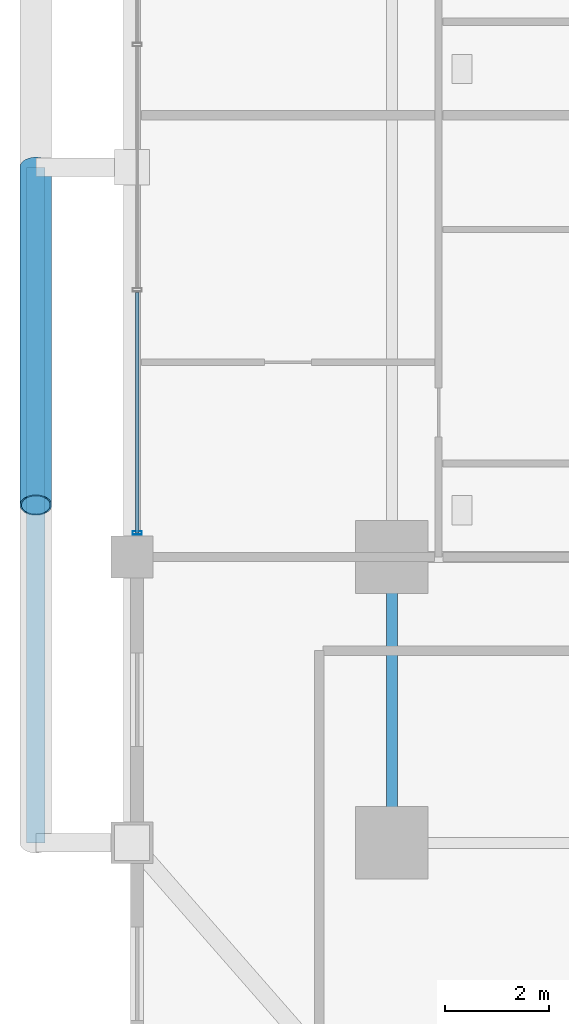
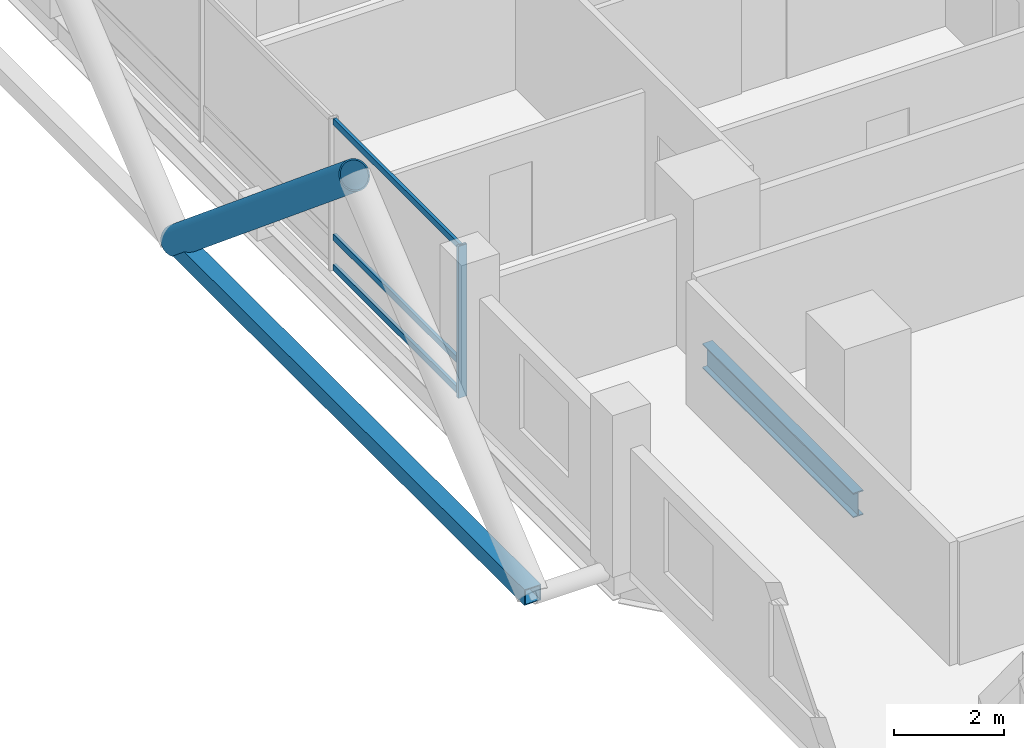
# One storey, part 6 of 27: 6 members, 1 beam, 1 element without a shape of its own.
"""IFC4 building model written with IfcOpenShell, lengths in metres."""

from ifc_helpers import new_model, si_unit, direction, frame, origin, origin_2d, place, context, subcontext, project, spatial, hollow_rectangle, hollow_circle, i_section, extrude, material, layer, layer_set, material_profile, profile_set, type_object, element, aggregate, save


model = new_model("IFC4")

# Units and contexts
model_context = context("Model", 3, precision=1e-05, world=origin(), true_north=direction((0.0, 1.0)))
body_context = subcontext(model_context, "Body", "Model", "MODEL_VIEW")
ifc_project = project(units=[si_unit("LENGTHUNIT", "METRE"), si_unit("AREAUNIT", "SQUARE_METRE"), si_unit("VOLUMEUNIT", "CUBIC_METRE"), si_unit("PLANEANGLEUNIT", "RADIAN"), si_unit("MASSUNIT", "GRAM", prefix="KILO")], contexts=[model_context])

# Site, building, storey
site_placement = place(None, origin())
site = spatial("IfcSite", under=ifc_project, at=site_placement, CompositionType="ELEMENT")
building_placement = place(site_placement, origin())
building = spatial("IfcBuilding", under=site, at=building_placement, Name="Barlavira Tower and Art Museum", CompositionType="ELEMENT")
storey_placement = place(building_placement, frame((0.0, 0.0, 50.39990234375)))
storey = spatial("IfcBuildingStorey", under=building, at=storey_placement, Name="L11", CompositionType="ELEMENT", Elevation=50.39990234375)

# Curtain wall, members
ifc_material_1 = material(Name="Low-iron coastal laminated glass", Category="glass")
ifc_layer = layer(ifc_material_1, 0.179931640625, Name="Low-iron coastal laminated glass")
ifc_layer_set = layer_set([ifc_layer], Name="Low-iron coastal laminated glass")
curtain_wall_type = type_object("IfcCurtainWallType", Name="Pale-Metal Unitised Curtain Wall Zone 1", PredefinedType="NOTDEFINED", material=ifc_layer_set)
curtain_wall_placement = place(storey_placement, origin())
curtain_wall = element("IfcCurtainWall", 1, at=curtain_wall_placement, inside=storey, type_object=curtain_wall_type, Name="L11 Curtain Wall CW1-L11-W-B3", PredefinedType="NOTDEFINED")
ifc_material_2 = material(Name="Pale anodised aluminium", Category="aluminium")
ifc_material_profile_1 = material_profile(ifc_material_2, hollow_rectangle(XDim=0.06494140625, YDim=0.179931640625, WallThickness=0.00390625, at=origin_2d()), Name="ALU-MULL 65x180x4")
ifc_profile_set_1 = profile_set([ifc_material_profile_1], Name="Pale anodised aluminium")
member_type_1 = type_object("IfcMemberType", Name="Curtain Wall Pale-Metal Mullion 65x180", PredefinedType="MULLION", material=ifc_profile_set_1)
member_1_placement = place(storey_placement, frame((-21.89990234375, -7.034912109375, 0.0), z_axis=(0.0, 0.0, 1.0), x_axis=(0.0, -1.0, 0.0)))
member_1 = element("IfcMember", 2, at=member_1_placement, type_object=member_type_1, Name="CW1-L11-W-B3 Mullion 3", PredefinedType="MULLION", context=body_context, shape_type="SweptSolid", body=[
    extrude(hollow_rectangle(XDim=0.06494140625, YDim=0.179931640625, WallThickness=0.00390625, at=origin_2d()), origin(), (0.0, 0.0, 1.0), 3.380126953125),
])
ifc_material_profile_2 = material_profile(ifc_material_2, hollow_rectangle(XDim=0.06494140625, YDim=0.139892578125, WallThickness=0.00390625, at=origin_2d()), Name="ALU-TRAN 65x140x4")
ifc_profile_set_2 = profile_set([ifc_material_profile_2], Name="Pale anodised aluminium")
member_type_2 = type_object("IfcMemberType", Name="Curtain Wall Pale-Metal Transom 65x140", PredefinedType="USERDEFINED", material=ifc_profile_set_2)
member_2_placement = place(storey_placement, frame((-21.89990234375, -2.405029296875, 0.070068359375), z_axis=(0.0, -1.0, 0.0), x_axis=(1.0, 0.0, 0.0)))
member_2 = element("IfcMember", 3, at=member_2_placement, type_object=member_type_2, Name="CW1-L11-W-B3 Transom 2.1", ObjectType="TRANSOM", PredefinedType="USERDEFINED", context=body_context, shape_type="SweptSolid", body=[
    extrude(hollow_rectangle(XDim=0.06494140625, YDim=0.139892578125, WallThickness=0.00390625, at=origin_2d()), origin(), (0.0, 0.0, 1.0), 4.6298828125),
])
member_3_placement = place(storey_placement, frame((-21.89990234375, -2.405029296875, 0.744140625), z_axis=(0.0, -1.0, 0.0), x_axis=(1.0, 0.0, 0.0)))
member_3 = element("IfcMember", 4, at=member_3_placement, type_object=member_type_2, Name="CW1-L11-W-B3 Transom 2.2", ObjectType="TRANSOM", PredefinedType="USERDEFINED", context=body_context, shape_type="SweptSolid", body=[
    extrude(hollow_rectangle(XDim=0.06494140625, YDim=0.139892578125, WallThickness=0.00390625, at=origin_2d()), origin(), (0.0, 0.0, 1.0), 4.6298828125),
])
member_4_placement = place(storey_placement, frame((-21.89990234375, -2.405029296875, 3.31005859375), z_axis=(0.0, -1.0, 0.0), x_axis=(1.0, 0.0, 0.0)))
member_4 = element("IfcMember", 5, at=member_4_placement, type_object=member_type_2, Name="CW1-L11-W-B3 Transom 2.3", ObjectType="TRANSOM", PredefinedType="USERDEFINED", context=body_context, shape_type="SweptSolid", body=[
    extrude(hollow_rectangle(XDim=0.06494140625, YDim=0.139892578125, WallThickness=0.00390625, at=origin_2d()), origin(), (0.0, 0.0, 1.0), 4.6298828125),
])
aggregate(curtain_wall, [member_1, member_2, member_3, member_4])

# Members
ifc_material_3 = material(Name="Steel S355", Category="steel")
ifc_material_profile_3 = material_profile(ifc_material_3, hollow_circle(Radius=0.304931640625, WallThickness=0.028076171875, at=origin_2d()), Name="CHS 610.0x28.0")
ifc_profile_set_3 = profile_set([ifc_material_profile_3], Name="Steel S355")
member_type_3 = type_object("IfcMemberType", Name="Pale-Metal Exoskeleton Diagrid Tube CHS 610x28 Steel S355", PredefinedType="BRACE", material=ifc_profile_set_3)
member_5_placement = place(storey_placement, frame((-23.85009765625, 0.0, -0.119873046875), z_axis=(0.0, -0.769196053329, 0.639012857104), x_axis=(1.0, 0.0, 0.0)))
element("IfcMember", 6, at=member_5_placement, inside=storey, type_object=member_type_3, Name="L11 Exoskeleton Diagrid Tube W", PredefinedType="BRACE", context=body_context, shape_type="SweptSolid", body=[
    extrude(hollow_circle(Radius=0.304931640625, WallThickness=0.028076171875, at=origin_2d()), origin(), (0.0, 0.0, 1.0), 8.450439453125),
])
ifc_material_profile_4 = material_profile(ifc_material_3, hollow_rectangle(XDim=0.35009765625, YDim=0.35009765625, WallThickness=0.02001953125, at=origin_2d()), Name="SHS 350x350x20.0")
ifc_profile_set_4 = profile_set([ifc_material_profile_4], Name="Steel S355")
member_type_4 = type_object("IfcMemberType", Name="Pale-Metal Exoskeleton Ring Strut SHS 350x350x20 Steel S355", PredefinedType="STRUT", material=ifc_profile_set_4)
member_6_placement = place(storey_placement, frame((-23.85009765625, -13.0, -0.119873046875), z_axis=(0.0, 1.0, 0.0), x_axis=(-1.0, 0.0, 0.0)))
element("IfcMember", 7, at=member_6_placement, inside=storey, type_object=member_type_4, Name="L11 Exoskeleton Ring Strut W", PredefinedType="STRUT", context=body_context, shape_type="SweptSolid", body=[
    extrude(hollow_rectangle(XDim=0.35009765625, YDim=0.35009765625, WallThickness=0.02001953125, at=origin_2d()), origin(), (0.0, 0.0, 1.0), 13.0),
])

# Beam
ifc_material_profile_5 = material_profile(ifc_material_3, i_section(OverallWidth=0.214111328125, OverallDepth=0.549072265625, WebThickness=0.0146484375, FlangeThickness=0.023681640625, at=origin_2d()), Name="W530x138.0")
ifc_profile_set_5 = profile_set([ifc_material_profile_5], Name="Steel S355")
beam_type = type_object("IfcBeamType", Name="Zone 1 Primary Floor Girder W530x138 Steel S355", PredefinedType="BEAM", material=ifc_profile_set_5)
beam_placement = place(storey_placement, frame((-17.0, -13.0, -0.494384765625), z_axis=(0.0, 1.0, 0.0), x_axis=(-1.0, 0.0, 0.0)))
element("IfcBeam", 8, at=beam_placement, inside=storey, type_object=beam_type, Name="L11 Girder M-W1", PredefinedType="BEAM", context=body_context, shape_type="SweptSolid", body=[
    extrude(i_section(OverallWidth=0.214111328125, OverallDepth=0.549072265625, WebThickness=0.0146484375, FlangeThickness=0.023681640625, at=origin_2d()), origin(), (0.0, 0.0, 1.0), 5.5),
])

save(model, "model.ifc")
